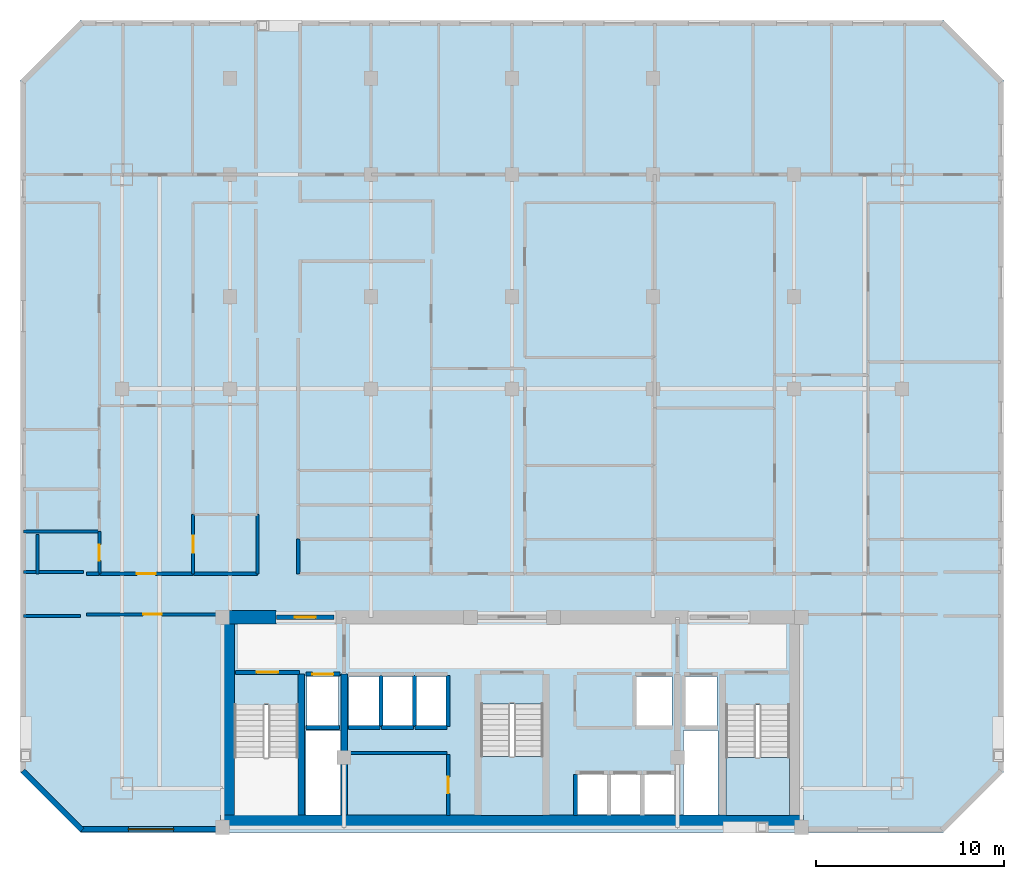
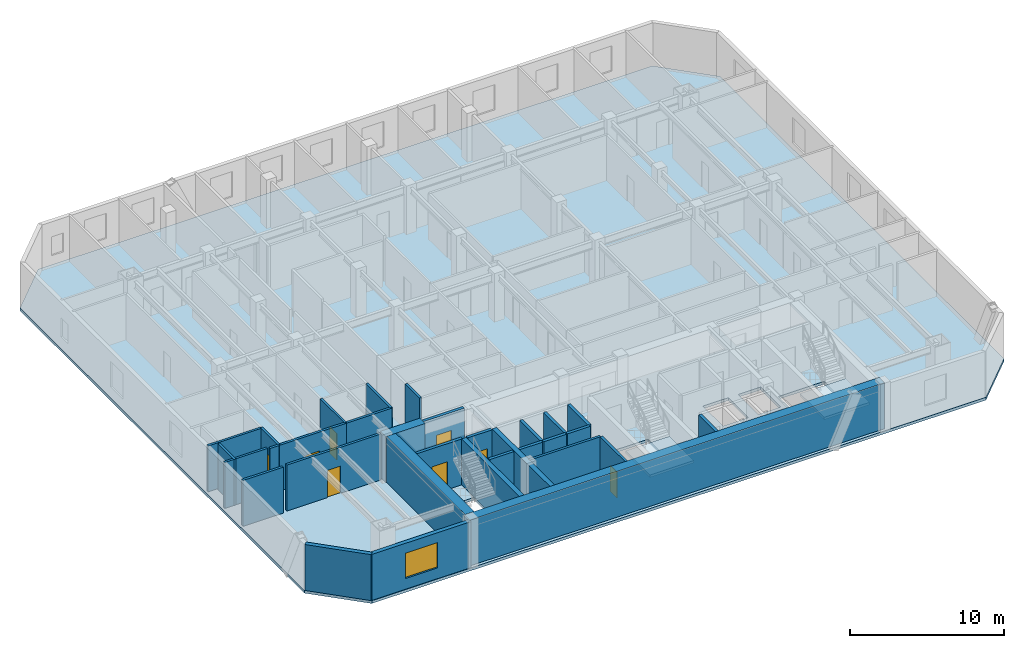
# One storey, part 2 of 8: 32 walls, 8 doors, 3 slabs, 1 window, 9 openings, 2 elements without a shape of their own.
"""IFC4 building model written with IfcOpenShell, lengths in metres."""

import ifcopenshell
import ifcopenshell.guid

model = None  # the IFC model being written
_history = None  # IfcOwnerHistory: only IFC2X3 demands one
_inside = {}  # id of a spatial element -> (the spatial element, [elements in it])
_under = {}  # id of a project, library or spatial element -> (it, [spatial elements below it])
_declared = {}  # id of a project -> (the project, [libraries it declares])
_typed = {}  # id of a type object -> (the type object, [elements of that type])
_made_of = {}  # id of a material, layer set ... -> (it, [elements and type objects made of it])


def new_model(schema):
    """Start an empty IFC model of exactly this schema.

    Asked for "IFC4X3", IfcOpenShell would pick the latest addendum, in which some entities
    have other attributes; the version numbers below select the first issue.
    IFC2X3 requires an IfcOwnerHistory on every rooted entity: one is made here for all.
    """
    global model, _history
    if schema == "IFC4X3":
        model = ifcopenshell.file(schema_version=(4, 3, 0, 0))
    else:
        model = ifcopenshell.file(schema=schema)
    _inside.clear()
    _under.clear()
    _declared.clear()
    _typed.clear()
    _made_of.clear()
    _history = None
    if model.schema == "IFC2X3":
        org = make("IfcOrganization", Name="unknown")
        user = make(
            "IfcPersonAndOrganization",
            ThePerson=make("IfcPerson", FamilyName="unknown"),
            TheOrganization=org,
        )
        app = make(
            "IfcApplication",
            ApplicationDeveloper=org,
            Version="unknown",
            ApplicationFullName="unknown",
            ApplicationIdentifier="unknown",
        )
        _history = make(
            "IfcOwnerHistory",
            OwningUser=user,
            OwningApplication=app,
            ChangeAction="ADDED",
            CreationDate=0,
        )
    return model


def make(cls, **values):
    """One entity of the class cls with the attributes given. An attribute that is None is left unset."""
    return model.create_entity(
        cls, **{name: value for name, value in values.items() if value is not None}
    )


def rooted(cls, **values):
    """An entity with a GlobalId (a new one), such as an element, a storey or a relation."""
    return make(cls, GlobalId=ifcopenshell.guid.new(), OwnerHistory=_history, **values)


def si_unit(unit_type, name, prefix=None):
    """IfcSIUnit, for example si_unit("LENGTHUNIT", "METRE", prefix="MILLI")."""
    return make("IfcSIUnit", UnitType=unit_type, Prefix=prefix, Name=name)


def assignment(units):
    """IfcUnitAssignment: the units of a project."""
    return None if units is None else make("IfcUnitAssignment", Units=units)


def point(xyz):
    """IfcCartesianPoint."""
    return None if xyz is None else make("IfcCartesianPoint", Coordinates=xyz)


def direction(xyz):
    """IfcDirection."""
    return None if xyz is None else make("IfcDirection", DirectionRatios=xyz)


def frame(location, z_axis=None, x_axis=None):
    """IfcAxis2Placement3D, a coordinate frame: its origin and axes. An axis left out is left unset."""
    return make(
        "IfcAxis2Placement3D",
        Location=point(location),
        Axis=direction(z_axis),
        RefDirection=direction(x_axis),
    )


def frame_2d(location, x_axis=None):
    """IfcAxis2Placement2D, a coordinate frame in the plane: its origin and x axis."""
    return make(
        "IfcAxis2Placement2D", Location=point(location), RefDirection=direction(x_axis)
    )


def origin():
    """The frame at (0, 0, 0) with its axes left unset."""
    return frame((0.0, 0.0, 0.0))


def place(relative_to, where):
    """IfcLocalPlacement: puts the frame where relative to a parent placement (None: the world)."""
    return make(
        "IfcLocalPlacement", PlacementRelTo=relative_to, RelativePlacement=where
    )


def context(
    kind, dimensions, precision=None, world=None, true_north=None, identifier=None
):
    """IfcGeometricRepresentationContext, for example the 3D "Model" context."""
    return make(
        "IfcGeometricRepresentationContext",
        ContextIdentifier=identifier,
        ContextType=kind,
        CoordinateSpaceDimension=dimensions,
        Precision=precision,
        WorldCoordinateSystem=world,
        TrueNorth=true_north,
    )


def subcontext(parent, identifier, kind, view, scale=None):
    """IfcGeometricRepresentationSubContext, for example "Body" below "Model"."""
    return make(
        "IfcGeometricRepresentationSubContext",
        ContextIdentifier=identifier,
        ContextType=kind,
        ParentContext=parent,
        TargetScale=scale,
        TargetView=view,
    )


def project(units=None, contexts=None):
    """IfcProject with its units and contexts."""
    return rooted(
        "IfcProject",
        Name="project",
        RepresentationContexts=contexts,
        UnitsInContext=assignment(units),
    )


def spatial(cls, under=None, at=None, **own):
    """A site, building, storey or space (cls), placed at a placement, below another one or the project."""
    s = rooted(cls, ObjectPlacement=at, **own)
    if under is not None:
        _under.setdefault(under.id(), (under, []))[1].append(s)
    return s


def polyline(points):
    """IfcPolyline through the points."""
    return make("IfcPolyline", Points=[point(p) for p in points])


def profile(cls, at=None, kind="AREA", **sizes):
    """A parametric profile (cls). Its sizes go by their IFC names, for example OverallWidth=200.0."""
    return make(cls, ProfileType=kind, Position=at, **sizes)


def rectangle(**sizes):
    """IfcRectangleProfileDef."""
    return profile("IfcRectangleProfileDef", **sizes)


def outline(outer, holes=None, kind="AREA"):
    """IfcArbitraryClosedProfileDef: a profile drawn as a closed curve; with holes, ...WithVoids."""
    if holes is None:
        return make("IfcArbitraryClosedProfileDef", ProfileType=kind, OuterCurve=outer)
    return make(
        "IfcArbitraryProfileDefWithVoids",
        ProfileType=kind,
        OuterCurve=outer,
        InnerCurves=holes,
    )


def extrude(swept, where, along, depth):
    """IfcExtrudedAreaSolid: the profile swept, set in the frame where, extruded along a direction by depth."""
    return make(
        "IfcExtrudedAreaSolid",
        SweptArea=swept,
        Position=where,
        ExtrudedDirection=direction(along),
        Depth=depth,
    )


def shape(context_of_items, identifier, shape_type, items):
    """IfcShapeRepresentation: the items that make up one representation, for example the "Body"."""
    return make(
        "IfcShapeRepresentation",
        ContextOfItems=context_of_items,
        RepresentationIdentifier=identifier,
        RepresentationType=shape_type,
        Items=items,
    )


def material(Name=None, Category=None):
    """IfcMaterial."""
    return make("IfcMaterial", Name=Name, Category=Category)


def layer(
    of_material, thickness, ventilated=None, Name=None, Category=None, Priority=None
):
    """IfcMaterialLayer: one layer of a wall or slab, of a material (None: an air gap)."""
    return make(
        "IfcMaterialLayer",
        Material=of_material,
        LayerThickness=thickness,
        IsVentilated=ventilated,
        Name=Name,
        Category=Category,
        Priority=Priority,
    )


def layer_set(layers, Name=None):
    """IfcMaterialLayerSet."""
    return make("IfcMaterialLayerSet", MaterialLayers=layers, LayerSetName=Name)


def made_of(thing, what):
    """Note that an element or type object is made of a material, layer set ...; save() writes the relation."""
    if what is not None:
        _made_of.setdefault(what.id(), (what, []))[1].append(thing)
    return thing


def type_object(cls, material=None, **own):
    """A type object (cls), such as IfcWallType, which elements share."""
    return made_of(rooted(cls, **own), material)


def element(
    cls,
    number,
    at=None,
    inside=None,
    cuts=None,
    type_object=None,
    material=None,
    context=None,
    identifier="Body",
    shape_type=None,
    held_by="IfcProductDefinitionShape",
    body=None,
    shapes=None,
    **own,
):
    """One element of the class cls, such as IfcWall. Its Tag is "e" and its number.

    at: its placement. inside: the storey or other place that contains it. cuts: it is an
    opening in that element (IfcRelVoidsElement). A single representation is given by context,
    identifier, shape_type and body (its items); several are given by shapes. held_by: the class
    of the entity that holds the representations. save() writes the other relations.
    """
    e = rooted(cls, Tag="e%d" % number, ObjectPlacement=at, **own)
    if body is not None:
        shapes = [shape(context, identifier, shape_type, body)]
    if shapes is not None:
        e.Representation = make(held_by, Representations=shapes)
    if inside is not None:
        _inside.setdefault(inside.id(), (inside, []))[1].append(e)
    if cuts is not None:
        rooted(
            "IfcRelVoidsElement", RelatingBuildingElement=cuts, RelatedOpeningElement=e
        )
    if type_object is not None:
        _typed.setdefault(type_object.id(), (type_object, []))[1].append(e)
    return made_of(e, material)


def fill(opening, filler):
    """IfcRelFillsElement: the door or window that sits in an opening."""
    return rooted(
        "IfcRelFillsElement",
        RelatingOpeningElement=opening,
        RelatedBuildingElement=filler,
    )


def aggregate(whole, parts):
    """IfcRelAggregates: a whole, such as a stair, and the parts it consists of."""
    return rooted("IfcRelAggregates", RelatingObject=whole, RelatedObjects=parts)


def save(model, path):
    """Write the relations noted so far, then the file.

    IfcRelAggregates (storeys below a building ...), IfcRelContainedInSpatialStructure (elements
    in a storey), IfcRelDefinesByType, IfcRelAssociatesMaterial and IfcRelDeclares: one each for
    every whole, place, type object, material and project.
    """
    for whole, parts in _under.values():
        aggregate(whole, parts)
    for where, things in _inside.values():
        rooted(
            "IfcRelContainedInSpatialStructure",
            RelatedElements=things,
            RelatingStructure=where,
        )
    for kind, things in _typed.values():
        rooted("IfcRelDefinesByType", RelatedObjects=things, RelatingType=kind)
    for what, things in _made_of.values():
        rooted("IfcRelAssociatesMaterial", RelatedObjects=things, RelatingMaterial=what)
    for by, libraries in _declared.values():
        rooted("IfcRelDeclares", RelatingContext=by, RelatedDefinitions=libraries)
    model.write(path)


model = new_model("IFC4")

# Units and contexts
model_context = context("Model", 3, precision=1e-05, world=origin(), true_north=direction((0.0, 1.0)))
body_context = subcontext(model_context, "Body", "Model", "MODEL_VIEW")
ifc_project = project(units=[si_unit("LENGTHUNIT", "METRE"), si_unit("AREAUNIT", "SQUARE_METRE"), si_unit("VOLUMEUNIT", "CUBIC_METRE"), si_unit("PLANEANGLEUNIT", "RADIAN"), si_unit("MASSUNIT", "GRAM", prefix="KILO")], contexts=[model_context])

# Site, building, storey
site_placement = place(None, origin())
site = spatial("IfcSite", under=ifc_project, at=site_placement, CompositionType="ELEMENT")
building_placement = place(site_placement, origin())
building = spatial("IfcBuilding", under=site, at=building_placement, Name="Ventersveld Concourse Tower", CompositionType="ELEMENT")
storey_placement = place(building_placement, frame((0.0, 0.0, 149.050048828125)))
storey = spatial("IfcBuildingStorey", under=building, at=storey_placement, Name="L36", CompositionType="ELEMENT", Elevation=149.050048828125)

# Slab
ifc_material_1 = material(Name="Concrete C50/60", Category="concrete")
ifc_layer_1 = layer(ifc_material_1, 0.219970703125)
ifc_layer_set_1 = layer_set([ifc_layer_1], Name="Concrete C50/60")
slab_type_1 = type_object("IfcSlabType", Name="SL-FLR-220", PredefinedType="FLOOR", material=ifc_layer_set_1)
slab_1_placement = place(storey_placement, frame((0.0, 0.0, -0.219970703125)))
element("IfcSlab", 1, at=slab_1_placement, inside=storey, type_object=slab_type_1, Name="L36 Composite Floor Slab", PredefinedType="FLOOR", context=body_context, shape_type="SweptSolid", body=[
    extrude(outline(polyline([(5.800048828125, 0.0), (51.699951171875, 0.0), (54.89990234375, 3.199951171875), (54.89990234375, 40.0), (51.699951171875, 43.199951171875), (5.800048828125, 43.199951171875), (2.60009765625, 40.0), (2.60009765625, 3.199951171875), (5.800048828125, 0.0)]), holes=[polyline([(13.97998046875, 6.794921875), (13.97998046875, 0.89990234375), (17.3798828125, 0.89990234375), (17.3798828125, 6.794921875), (13.97998046875, 6.794921875)]), polyline([(40.1201171875, 6.794921875), (40.1201171875, 0.89990234375), (43.52001953125, 0.89990234375), (43.52001953125, 6.794921875), (40.1201171875, 6.794921875)]), polyline([(27.10009765625, 6.844970703125), (27.10009765625, 0.89990234375), (30.39990234375, 0.89990234375), (30.39990234375, 6.844970703125), (27.10009765625, 6.844970703125)]), polyline([(17.85009765625, 5.699951171875), (19.530029296875, 5.699951171875), (19.530029296875, 8.300048828125), (17.85009765625, 8.300048828125), (17.85009765625, 5.699951171875)]), polyline([(37.969970703125, 5.699951171875), (39.64990234375, 5.699951171875), (39.64990234375, 8.300048828125), (37.969970703125, 8.300048828125), (37.969970703125, 5.699951171875)]), polyline([(35.35009765625, 5.699951171875), (37.25, 5.699951171875), (37.25, 8.300048828125), (35.35009765625, 8.300048828125), (35.35009765625, 5.699951171875)]), polyline([(32.2099609375, 0.949951171875), (33.81005859375, 0.949951171875), (33.81005859375, 3.050048828125), (32.2099609375, 3.050048828125), (32.2099609375, 0.949951171875)]), polyline([(33.989990234375, 0.949951171875), (35.590087890625, 0.949951171875), (35.590087890625, 3.050048828125), (33.989990234375, 3.050048828125), (33.989990234375, 0.949951171875)]), polyline([(35.77001953125, 0.949951171875), (37.3701171875, 0.949951171875), (37.3701171875, 3.050048828125), (35.77001953125, 3.050048828125), (35.77001953125, 0.949951171875)]), polyline([(20.090087890625, 5.699951171875), (21.68994140625, 5.699951171875), (21.68994140625, 8.300048828125), (20.090087890625, 8.300048828125), (20.090087890625, 5.699951171875)]), polyline([(21.8701171875, 5.699951171875), (23.469970703125, 5.699951171875), (23.469970703125, 8.300048828125), (21.8701171875, 8.300048828125), (21.8701171875, 5.699951171875)]), polyline([(23.64990234375, 5.699951171875), (25.25, 5.699951171875), (25.25, 8.300048828125), (23.64990234375, 8.300048828125), (23.64990234375, 5.699951171875)]), polyline([(17.780029296875, 0.919921875), (19.6201171875, 0.919921875), (19.6201171875, 5.419921875), (17.780029296875, 5.419921875), (17.780029296875, 0.919921875)]), polyline([(37.8798828125, 0.919921875), (39.719970703125, 0.919921875), (39.719970703125, 5.419921875), (37.8798828125, 5.419921875), (37.8798828125, 0.919921875)])]), origin(), (0.0, 0.0, 1.0), 0.219970703125),
])

# Stair, slab
stair_type_1 = type_object("IfcStairType", Name="ST-DOG-160", PredefinedType="HALF_TURN_STAIR", material=ifc_material_1)
stair_1_placement = place(storey_placement, origin())
stair_1 = element("IfcStair", 2, at=stair_1_placement, inside=storey, type_object=stair_type_1, Name="L36 Protected Tower Escape Stair ST-02", PredefinedType="HALF_TURN_STAIR")
ifc_layer_2 = layer(ifc_material_1, 0.199951171875)
ifc_layer_set_2 = layer_set([ifc_layer_2], Name="Concrete C50/60")
slab_type_2 = type_object("IfcSlabType", Name="SL-LND-200", PredefinedType="LANDING", material=ifc_layer_set_2)
slab_2_placement = place(storey_placement, frame((0.0, 0.0, 1.724853515625)))
slab_2 = element("IfcSlab", 3, at=slab_2_placement, type_object=slab_type_2, Name="ST-02 landing 1", PredefinedType="LANDING", context=body_context, shape_type="SweptSolid", body=[
    extrude(outline(polyline([(40.1201171875, 4.0), (40.1201171875, 0.89990234375), (43.52001953125, 0.89990234375), (43.52001953125, 4.0), (40.1201171875, 4.0)])), origin(), (0.0, 0.0, 1.0), 0.2001953125),
])
aggregate(stair_1, [slab_2])

stair_type_2 = type_object("IfcStairType", Name="ST-DOG-155", PredefinedType="HALF_TURN_STAIR", material=ifc_material_1)
stair_2_placement = place(storey_placement, origin())
stair_2 = element("IfcStair", 4, at=stair_2_placement, inside=storey, type_object=stair_type_2, Name="L36 Protected Central Core Escape Stair ST-03", PredefinedType="HALF_TURN_STAIR")
slab_3_placement = place(storey_placement, frame((0.0, 0.0, 1.724853515625)))
slab_3 = element("IfcSlab", 5, at=slab_3_placement, type_object=slab_type_2, Name="ST-03 landing 1", PredefinedType="LANDING", context=body_context, shape_type="SweptSolid", body=[
    extrude(outline(polyline([(27.10009765625, 4.050048828125), (27.10009765625, 0.89990234375), (30.39990234375, 0.89990234375), (30.39990234375, 4.050048828125), (27.10009765625, 4.050048828125)])), origin(), (0.0, 0.0, 1.0), 0.2001953125),
])
aggregate(stair_2, [slab_3])

# Walls
ifc_material_2 = material(Name="Concrete C60/75", Category="concrete")
ifc_layer_3 = layer(ifc_material_2, 0.35009765625)
ifc_layer_set_3 = layer_set([ifc_layer_3], Name="Concrete C60/75")
wall_type_1 = type_object("IfcWallType", Name="WL-CORE-350L", PredefinedType="SHEAR", material=ifc_layer_set_3)
for number, where, z_axis, x_axis, name in (
    (6, (17.5400390625, 0.919921875, 0.0), (0.0, 0.0, 1.0), (0.0, 1.0, 0.0), "L36 Core Internal Shear Web W-ST1-E"),
    (7, (19.820068359375, 0.919921875, 0.0), (0.0, 0.0, 1.0), (0.0, 1.0, 0.0), "L36 Core Internal Shear Web W-FF1-E"),
):
    element("IfcWall", number, at=place(storey_placement, frame(where, z_axis=z_axis, x_axis=x_axis)), inside=storey, type_object=wall_type_1, Name=name, PredefinedType="SHEAR", context=body_context, shape_type="SweptSolid", body=[
        extrude(rectangle(XDim=7.5, YDim=0.35009765625, at=frame_2d((3.75, 0.0))), origin(), (0.0, 0.0, 1.0), 3.6298828125),
    ])
ifc_layer_4 = layer(ifc_material_2, 0.699951171875)
ifc_layer_set_4 = layer_set([ifc_layer_4], Name="Concrete C60/75")
wall_type_2 = type_object("IfcWallType", Name="WL-CORE-700", PredefinedType="SHEAR", material=ifc_layer_set_4)
wall_1_placement = place(storey_placement, frame((13.25, 0.570068359375, 0.0), z_axis=(0.0, 0.0, 1.0), x_axis=(1.0, 0.0, 0.0)))
element("IfcWall", 8, at=wall_1_placement, inside=storey, type_object=wall_type_2, Name="L36 Rear Core South Shear Wall", PredefinedType="SHEAR", context=body_context, shape_type="SweptSolid", body=[
    extrude(rectangle(XDim=31.0, YDim=0.699951171875, at=frame_2d((15.5, 0.0))), origin(), (0.0, 0.0, 1.0), 3.6298828125),
])
wall_2_placement = place(storey_placement, frame((13.64990234375, 0.919921875, 0.0), z_axis=(0.0, 0.0, 1.0), x_axis=(0.0, 1.0, 0.0)))
element("IfcWall", 9, at=wall_2_placement, inside=storey, type_object=wall_type_2, Name="L36 Rear Core West Shear Wall", PredefinedType="SHEAR", context=body_context, shape_type="SweptSolid", body=[
    extrude(rectangle(XDim=10.530029296875, YDim=0.699951171875, at=frame_2d((5.26513671875, 0.0))), origin(), (0.0, 0.0, 1.0), 3.6298828125),
])
wall_3_placement = place(storey_placement, frame((13.25, 11.449951171875, 0.0), z_axis=(0.0, 0.0, 1.0), x_axis=(1.0, 0.0, 0.0)))
element("IfcWall", 10, at=wall_3_placement, inside=storey, type_object=wall_type_2, Name="L36 Rear Core North Shear Wall NW", PredefinedType="SHEAR", context=body_context, shape_type="SweptSolid", body=[
    extrude(rectangle(XDim=2.949951171875, YDim=0.699951171875, at=frame_2d((1.47509765625, 0.0))), origin(), (0.0, 0.0, 1.0), 3.6298828125),
])

# Wall, opening, door
ifc_material_3 = material(Name="Fire-rated autoclaved aerated masonry blockwork", Category="masonry")
ifc_layer_5 = layer(ifc_material_3, 0.179931640625)
ifc_layer_set_5 = layer_set([ifc_layer_5], Name="Fire-rated autoclaved aerated masonry blockwork")
wall_type_3 = type_object("IfcWallType", Name="WL-CORR-180", PredefinedType="PARTITIONING", material=ifc_layer_set_5)
wall_4_placement = place(storey_placement, frame((25.35009765625, 0.89990234375, 0.0), z_axis=(0.0, 0.0, 1.0), x_axis=(0.0, 1.0, 0.0)))
wall_4 = element("IfcWall", 11, at=wall_4_placement, inside=storey, type_object=wall_type_3, Name="L36 Core Passage Wall SP-L36-RECB1A", PredefinedType="PARTITIONING", context=body_context, shape_type="SweptSolid", body=[
    extrude(rectangle(XDim=3.239990234375, YDim=0.179931640625, at=frame_2d((1.6201171875, 0.0))), origin(), (0.0, 0.0, 1.0), 3.6298828125),
])
opening_1_placement = place(wall_4_placement, frame((1.179931640625, 0.0, 0.0)))
opening_1 = element("IfcOpeningElement", 12, at=opening_1_placement, cuts=wall_4, Name="Opening FD5", PredefinedType="OPENING", context=body_context, shape_type="SweptSolid", body=[
    extrude(rectangle(XDim=0.8798828125, YDim=2.050048828125, at=frame_2d((0.43994140625, 1.02490234375))), frame((0.0, 0.10009765625, 0.0), z_axis=(0.0, -1.0, 0.0), x_axis=(1.0, 0.0, 0.0)), (0.0, 0.0, 1.0), 0.199951171875),
])
ifc_material_4 = material(Name="Galvanised painted steel", Category="steel")
door_type_1 = type_object("IfcDoorType", Name="DR-RISER-088", OperationType="NOTDEFINED", PredefinedType="DOOR", material=ifc_material_4)
door_1_placement = place(opening_1_placement, origin())
door_1 = element("IfcDoor", 13, at=door_1_placement, inside=storey, type_object=door_type_1, Name="L36 Core Room Door L36 Reclaimed Core Quiet Study Pod (CD-L36-1754)", OperationType="SINGLE_SWING_LEFT", OverallHeight=2.050048828125, OverallWidth=0.8798828125, PredefinedType="DOOR", context=body_context, shape_type="SweptSolid", body=[
    extrude(rectangle(XDim=0.8798828125, YDim=2.050048828125, at=frame_2d((0.43994140625, 1.02490234375))), frame((0.0, 0.02490234375, 0.0), z_axis=(0.0, -1.0, 0.0), x_axis=(1.0, 0.0, 0.0)), (0.0, 0.0, 1.0), 0.050048828125),
])
fill(opening_1, door_1)

# Wall
wall_5_placement = place(storey_placement, frame((19.97998046875, 4.22998046875, 0.0), z_axis=(0.0, 0.0, 1.0), x_axis=(1.0, 0.0, 0.0)))
element("IfcWall", 14, at=wall_5_placement, inside=storey, type_object=wall_type_3, Name="L36 Core Top Wall SP-L36-RECB1A", PredefinedType="PARTITIONING", context=body_context, shape_type="SweptSolid", body=[
    extrude(rectangle(XDim=5.320068359375, YDim=0.179931640625, at=frame_2d((2.66015625, 0.0))), origin(), (0.0, 0.0, 1.0), 3.6298828125),
])

# Wall, opening, door
wall_6_placement = place(storey_placement, frame((6.10498046875, 11.60009765625, 0.0), z_axis=(0.0, 0.0, 1.0), x_axis=(1.0, 0.0, 0.0)))
wall_6 = element("IfcWall", 15, at=wall_6_placement, inside=storey, type_object=wall_type_3, Name="L36 Interior Partition SP-L36-SW-GAL-SP-L36-COR", PredefinedType="PARTITIONING", context=body_context, shape_type="SweptSolid", body=[
    extrude(rectangle(XDim=7.0400390625, YDim=0.179931640625, at=frame_2d((3.52001953125, 0.0))), origin(), (0.0, 0.0, 1.0), 3.6298828125),
])
opening_2_placement = place(wall_6_placement, frame((3.02001953125, 0.0, 0.0)))
opening_2 = element("IfcOpeningElement", 16, at=opening_2_placement, cuts=wall_6, Name="Opening FD3", PredefinedType="OPENING", context=body_context, shape_type="SweptSolid", body=[
    extrude(rectangle(XDim=1.0, YDim=2.14990234375, at=frame_2d((0.5, 1.074951171875))), frame((0.0, 0.10009765625, 0.0), z_axis=(0.0, -1.0, 0.0), x_axis=(1.0, 0.0, 0.0)), (0.0, 0.0, 1.0), 0.199951171875),
])
ifc_material_5 = material(Name="Solid-core hardwood veneer timber", Category="wood")
door_type_2 = type_object("IfcDoorType", Name="DR-FLAT-100", OperationType="NOTDEFINED", PredefinedType="DOOR", material=ifc_material_5)
door_2_placement = place(opening_2_placement, origin())
door_2 = element("IfcDoor", 17, at=door_2_placement, inside=storey, type_object=door_type_2, Name="L36 Interior Door SP-L36-SW-GAL to SP-L36-COR (D-L36-1756)", OperationType="SINGLE_SWING_RIGHT", OverallHeight=2.14990234375, OverallWidth=1.0, PredefinedType="DOOR", context=body_context, shape_type="SweptSolid", body=[
    extrude(rectangle(XDim=1.0, YDim=2.14990234375, at=frame_2d((0.5, 1.074951171875))), frame((0.0, 0.02490234375, 0.0), z_axis=(0.0, -1.0, 0.0), x_axis=(1.0, 0.0, 0.0)), (0.0, 0.0, 1.0), 0.050048828125),
])
fill(opening_2, door_2)

wall_7_placement = place(storey_placement, frame((6.80078125, 13.77001953125, 0.0), z_axis=(0.0, 0.0, 1.0), x_axis=(1.0, 0.0, 0.0)))
wall_7 = element("IfcWall", 18, at=wall_7_placement, inside=storey, type_object=wall_type_3, Name="L36 Interior Partition SP-L36-COR-SP-L36-36NW-FOY", PredefinedType="PARTITIONING", context=body_context, shape_type="SweptSolid", body=[
    extrude(rectangle(XDim=4.990234375, YDim=0.179931640625, at=frame_2d((2.4951171875, 0.0))), origin(), (0.0, 0.0, 1.0), 3.6298828125),
])
opening_3_placement = place(wall_7_placement, frame((1.9951171875, 0.0, 0.0)))
opening_3 = element("IfcOpeningElement", 19, at=opening_3_placement, cuts=wall_7, Name="Opening FD3", PredefinedType="OPENING", context=body_context, shape_type="SweptSolid", body=[
    extrude(rectangle(XDim=1.0, YDim=2.14990234375, at=frame_2d((0.5, 1.074951171875))), frame((0.0, 0.10009765625, 0.0), z_axis=(0.0, -1.0, 0.0), x_axis=(1.0, 0.0, 0.0)), (0.0, 0.0, 1.0), 0.199951171875),
])
door_3_placement = place(opening_3_placement, origin())
door_3 = element("IfcDoor", 20, at=door_3_placement, inside=storey, type_object=door_type_2, Name="L36 Interior Door SP-L36-COR to SP-L36-36NW-FOY (FD-L36-1758)", OperationType="SINGLE_SWING_RIGHT", OverallHeight=2.14990234375, OverallWidth=1.0, PredefinedType="DOOR", context=body_context, shape_type="SweptSolid", body=[
    extrude(rectangle(XDim=1.0, YDim=2.14990234375, at=frame_2d((0.5, 1.074951171875))), frame((0.0, 0.02490234375, 0.0), z_axis=(0.0, -1.0, 0.0), x_axis=(1.0, 0.0, 0.0)), (0.0, 0.0, 1.0), 0.050048828125),
])
fill(opening_3, door_3)

# Walls
wall_8_placement = place(storey_placement, frame((6.10498046875, 13.77001953125, 0.0), z_axis=(0.0, 0.0, 1.0), x_axis=(1.0, 0.0, 0.0)))
element("IfcWall", 21, at=wall_8_placement, inside=storey, type_object=wall_type_3, Name="L36 Interior Partition SP-L36-COR-SP-L36-36NW-BATH", PredefinedType="PARTITIONING", context=body_context, shape_type="SweptSolid", body=[
    extrude(rectangle(XDim=0.666015625, YDim=0.179931640625, at=frame_2d((0.3330078125, 0.0))), origin(), (0.0, 0.0, 1.0), 3.6298828125),
])
wall_9_placement = place(storey_placement, frame((11.82080078125, 13.77001953125, 0.0), z_axis=(0.0, 0.0, 1.0), x_axis=(1.0, 0.0, 0.0)))
element("IfcWall", 22, at=wall_9_placement, inside=storey, type_object=wall_type_3, Name="L36 Interior Partition SP-L36-COR-SP-L36-36NW-KIT", PredefinedType="PARTITIONING", context=body_context, shape_type="SweptSolid", body=[
    extrude(rectangle(XDim=3.394287109375, YDim=0.179931640625, at=frame_2d((1.697265625, 0.0))), origin(), (0.0, 0.0, 1.0), 3.6298828125),
])
wall_10_placement = place(storey_placement, frame((15.2099609375, 13.764892578125, 0.0), z_axis=(0.0, 0.0, 1.0), x_axis=(0.0, 1.0, 0.0)))
element("IfcWall", 23, at=wall_10_placement, inside=storey, type_object=wall_type_3, Name="L36 Interior Partition SP-L36-COR-SP-L36-36NW-KIT", PredefinedType="PARTITIONING", context=body_context, shape_type="SweptSolid", body=[
    extrude(rectangle(XDim=3.1494140625, YDim=0.179931640625, at=frame_2d((1.57470703125, 0.0))), origin(), (0.0, 0.0, 1.0), 3.6298828125),
])
wall_11_placement = place(storey_placement, frame((17.389892578125, 13.764892578125, 0.0), z_axis=(0.0, 0.0, 1.0), x_axis=(0.0, 1.0, 0.0)))
element("IfcWall", 24, at=wall_11_placement, inside=storey, type_object=wall_type_3, Name="L36 Interior Partition SP-L36-COR-SP-L36-36N1-BATH", PredefinedType="PARTITIONING", context=body_context, shape_type="SweptSolid", body=[
    extrude(rectangle(XDim=1.840087890625, YDim=0.179931640625, at=frame_2d((0.919921875, 0.0))), origin(), (0.0, 0.0, 1.0), 3.6298828125),
])
wall_12_placement = place(storey_placement, frame((2.7724609375, 11.52001953125, 0.0), z_axis=(0.0, 0.0, 1.0), x_axis=(1.0, 0.0, 0.0)))
element("IfcWall", 25, at=wall_12_placement, inside=storey, type_object=wall_type_3, Name="L36 Room Enclosure Wall SP-L36-SW-GAL", PredefinedType="PARTITIONING", context=body_context, shape_type="SweptSolid", body=[
    extrude(rectangle(XDim=3.015380859375, YDim=0.179931640625, at=frame_2d((1.5078125, 0.0))), origin(), (0.0, 0.0, 1.0), 3.6298828125),
])
ifc_layer_6 = layer(ifc_material_3, 0.219970703125)
ifc_layer_set_6 = layer_set([ifc_layer_6], Name="Fire-rated autoclaved aerated masonry blockwork")
wall_type_4 = type_object("IfcWallType", Name="WL-HOIST-220", PredefinedType="SOLIDWALL", material=ifc_layer_set_6)
wall_13_placement = place(storey_placement, frame((17.800048828125, 5.590087890625, 0.0), z_axis=(0.0, 0.0, 1.0), x_axis=(1.0, 0.0, 0.0)))
element("IfcWall", 26, at=wall_13_placement, inside=storey, type_object=wall_type_4, Name="L36 Lift Hoistway Back Wall FFL-01", PredefinedType="SOLIDWALL", context=body_context, shape_type="SweptSolid", body=[
    extrude(rectangle(XDim=1.780029296875, YDim=0.219970703125, at=frame_2d((0.89013671875, 0.0))), origin(), (0.0, 0.0, 1.0), 3.6298828125),
])

# Wall, opening, door
wall_14_placement = place(storey_placement, frame((17.780029296875, 8.429931640625, 0.0), z_axis=(0.0, 0.0, 1.0), x_axis=(1.0, 0.0, 0.0)))
wall_14 = element("IfcWall", 27, at=wall_14_placement, inside=storey, type_object=wall_type_4, Name="L36 Lift Hoistway Front Wall FFL-01", PredefinedType="SOLIDWALL", context=body_context, shape_type="SweptSolid", body=[
    extrude(rectangle(XDim=1.820068359375, YDim=0.219970703125, at=frame_2d((0.91015625, 0.0))), origin(), (0.0, 0.0, 1.0), 3.6298828125),
])
opening_4_placement = place(wall_14_placement, frame((0.35009765625, 0.0, 0.0)))
opening_4 = element("IfcOpeningElement", 28, at=opening_4_placement, cuts=wall_14, Name="Opening LD1", PredefinedType="OPENING", context=body_context, shape_type="SweptSolid", body=[
    extrude(rectangle(XDim=1.1201171875, YDim=2.25, at=frame_2d((0.56005859375, 1.125))), frame((0.0, 0.1201171875, 0.0), z_axis=(0.0, -1.0, 0.0), x_axis=(1.0, 0.0, 0.0)), (0.0, 0.0, 1.0), 0.239990234375),
])
ifc_material_6 = material(Name="Brushed stainless steel 316", Category="steel")
door_type_3 = type_object("IfcDoorType", Name="LD-FF-112", OperationType="SLIDING_TO_LEFT", PredefinedType="DOOR", material=ifc_material_6)
door_4_placement = place(opening_4_placement, origin())
door_4 = element("IfcDoor", 29, at=door_4_placement, inside=storey, type_object=door_type_3, Name="L36 Lift landing door FFL-01 (LD-L36-FFL-01)", OperationType="SLIDING_TO_LEFT", OverallHeight=2.25, OverallWidth=1.1201171875, PredefinedType="DOOR", context=body_context, shape_type="SweptSolid", body=[
    extrude(rectangle(XDim=1.1201171875, YDim=2.25, at=frame_2d((0.56005859375, 1.125))), frame((0.0, 0.02490234375, 0.0), z_axis=(0.0, -1.0, 0.0), x_axis=(1.0, 0.0, 0.0)), (0.0, 0.0, 1.0), 0.050048828125),
])
fill(opening_4, door_4)

# Walls
wall_15_placement = place(storey_placement, frame((32.1201171875, 0.89990234375, 0.0), z_axis=(0.0, 0.0, 1.0), x_axis=(0.0, 1.0, 0.0)))
element("IfcWall", 30, at=wall_15_placement, inside=storey, type_object=wall_type_4, Name="L36 Lift Hoistway Side Wall PM-01W", PredefinedType="SOLIDWALL", context=body_context, shape_type="SweptSolid", body=[
    extrude(rectangle(XDim=2.2001953125, YDim=0.219970703125, at=frame_2d((1.10009765625, 0.0))), origin(), (0.0, 0.0, 1.0), 3.6298828125),
])
wall_16_placement = place(storey_placement, frame((20.0400390625, 5.590087890625, 0.0), z_axis=(0.0, 0.0, 1.0), x_axis=(1.0, 0.0, 0.0)))
element("IfcWall", 31, at=wall_16_placement, inside=storey, type_object=wall_type_4, Name="L36 Lift Hoistway Back Wall PH-01", PredefinedType="SOLIDWALL", context=body_context, shape_type="SweptSolid", body=[
    extrude(rectangle(XDim=1.699951171875, YDim=0.219970703125, at=frame_2d((0.85009765625, 0.0))), origin(), (0.0, 0.0, 1.0), 3.6298828125),
])
wall_17_placement = place(storey_placement, frame((21.780029296875, 5.64990234375, 0.0), z_axis=(0.0, 0.0, 1.0), x_axis=(0.0, 1.0, 0.0)))
element("IfcWall", 32, at=wall_17_placement, inside=storey, type_object=wall_type_4, Name="L36 Lift Hoistway Side Wall PH-01E", PredefinedType="SOLIDWALL", context=body_context, shape_type="SweptSolid", body=[
    extrude(rectangle(XDim=2.7001953125, YDim=0.219970703125, at=frame_2d((1.35009765625, 0.0))), origin(), (0.0, 0.0, 1.0), 3.6298828125),
])
wall_18_placement = place(storey_placement, frame((21.820068359375, 5.590087890625, 0.0), z_axis=(0.0, 0.0, 1.0), x_axis=(1.0, 0.0, 0.0)))
element("IfcWall", 33, at=wall_18_placement, inside=storey, type_object=wall_type_4, Name="L36 Lift Hoistway Back Wall PH-02", PredefinedType="SOLIDWALL", context=body_context, shape_type="SweptSolid", body=[
    extrude(rectangle(XDim=1.699951171875, YDim=0.219970703125, at=frame_2d((0.85009765625, 0.0))), origin(), (0.0, 0.0, 1.0), 3.6298828125),
])
wall_19_placement = place(storey_placement, frame((23.56005859375, 5.64990234375, 0.0), z_axis=(0.0, 0.0, 1.0), x_axis=(0.0, 1.0, 0.0)))
element("IfcWall", 34, at=wall_19_placement, inside=storey, type_object=wall_type_4, Name="L36 Lift Hoistway Side Wall PH-02E", PredefinedType="SOLIDWALL", context=body_context, shape_type="SweptSolid", body=[
    extrude(rectangle(XDim=2.7001953125, YDim=0.219970703125, at=frame_2d((1.35009765625, 0.0))), origin(), (0.0, 0.0, 1.0), 3.6298828125),
])
wall_20_placement = place(storey_placement, frame((23.60009765625, 5.590087890625, 0.0), z_axis=(0.0, 0.0, 1.0), x_axis=(1.0, 0.0, 0.0)))
element("IfcWall", 35, at=wall_20_placement, inside=storey, type_object=wall_type_4, Name="L36 Lift Hoistway Back Wall PH-03", PredefinedType="SOLIDWALL", context=body_context, shape_type="SweptSolid", body=[
    extrude(rectangle(XDim=1.699951171875, YDim=0.219970703125, at=frame_2d((0.85009765625, 0.0))), origin(), (0.0, 0.0, 1.0), 3.6298828125),
])
wall_21_placement = place(storey_placement, frame((25.340087890625, 5.64990234375, 0.0), z_axis=(0.0, 0.0, 1.0), x_axis=(0.0, 1.0, 0.0)))
element("IfcWall", 36, at=wall_21_placement, inside=storey, type_object=wall_type_4, Name="L36 Lift Hoistway Side Wall PH-03E", PredefinedType="SOLIDWALL", context=body_context, shape_type="SweptSolid", body=[
    extrude(rectangle(XDim=2.7001953125, YDim=0.219970703125, at=frame_2d((1.35009765625, 0.0))), origin(), (0.0, 0.0, 1.0), 3.6298828125),
])

# Wall, opening, door
wall_22_placement = place(storey_placement, frame((14.0400390625, 8.52001953125, 0.0), z_axis=(0.0, 0.0, 1.0), x_axis=(1.0, 0.0, 0.0)))
wall_22 = element("IfcWall", 37, at=wall_22_placement, inside=storey, type_object=wall_type_4, Name="L36 Escape Stair ST01 Fire Wall", PredefinedType="SOLIDWALL", context=body_context, shape_type="SweptSolid", body=[
    extrude(rectangle(XDim=3.39990234375, YDim=0.219970703125, at=frame_2d((1.699951171875, 0.0))), origin(), (0.0, 0.0, 1.0), 3.6298828125),
])
opening_5_placement = place(wall_22_placement, frame((1.125, 0.0, 0.0)))
opening_5 = element("IfcOpeningElement", 38, at=opening_5_placement, cuts=wall_22, Name="Opening FD1", PredefinedType="OPENING", context=body_context, shape_type="SweptSolid", body=[
    extrude(rectangle(XDim=1.14990234375, YDim=2.199951171875, at=frame_2d((0.574951171875, 1.10009765625))), frame((0.0, 0.1201171875, 0.0), z_axis=(0.0, -1.0, 0.0), x_axis=(1.0, 0.0, 0.0)), (0.0, 0.0, 1.0), 0.239990234375),
])
door_type_4 = type_object("IfcDoorType", Name="DR-STAIR-115", OperationType="NOTDEFINED", PredefinedType="DOOR", material=ifc_material_4)
door_5_placement = place(opening_5_placement, origin())
door_5 = element("IfcDoor", 39, at=door_5_placement, inside=storey, type_object=door_type_4, Name="L36 Escape Stair Door ST01 (SD-L36-1746)", OperationType="SINGLE_SWING_LEFT", OverallHeight=2.199951171875, OverallWidth=1.14990234375, PredefinedType="DOOR", context=body_context, shape_type="SweptSolid", body=[
    extrude(rectangle(XDim=1.14990234375, YDim=2.199951171875, at=frame_2d((0.574951171875, 1.10009765625))), frame((0.0, 0.02490234375, 0.0), z_axis=(0.0, -1.0, 0.0), x_axis=(1.0, 0.0, 0.0)), (0.0, 0.0, 1.0), 0.050048828125),
])
fill(opening_5, door_5)

wall_23_placement = place(storey_placement, frame((16.22998046875, 11.449951171875, 0.0), z_axis=(0.0, 0.0, 1.0), x_axis=(1.0, 0.0, 0.0)))
wall_23 = element("IfcWall", 40, at=wall_23_placement, inside=storey, type_object=wall_type_4, Name="L36 Core North Fire Portal FFLW-OUT", PredefinedType="SOLIDWALL", context=body_context, shape_type="SweptSolid", body=[
    extrude(rectangle(XDim=3.0400390625, YDim=0.219970703125, at=frame_2d((1.52001953125, 0.0))), origin(), (0.0, 0.0, 1.0), 3.6298828125),
])
opening_6_placement = place(wall_23_placement, frame((0.969970703125, 0.0, 0.0)))
opening_6 = element("IfcOpeningElement", 41, at=opening_6_placement, cuts=wall_23, Name="Opening FD2", PredefinedType="OPENING", context=body_context, shape_type="SweptSolid", body=[
    extrude(rectangle(XDim=1.10009765625, YDim=2.199951171875, at=frame_2d((0.550048828125, 1.10009765625))), frame((0.0, 0.1201171875, 0.0), z_axis=(0.0, -1.0, 0.0), x_axis=(1.0, 0.0, 0.0)), (0.0, 0.0, 1.0), 0.239990234375),
])
door_type_5 = type_object("IfcDoorType", Name="DR-FFL-110", OperationType="NOTDEFINED", PredefinedType="DOOR", material=ifc_material_4)
door_6_placement = place(opening_6_placement, origin())
door_6 = element("IfcDoor", 42, at=door_6_placement, inside=storey, type_object=door_type_5, Name="L36 Core Lobby Fire Door FFLW-OUT (FD-L36-1751)", OperationType="SINGLE_SWING_RIGHT", OverallHeight=2.199951171875, OverallWidth=1.10009765625, PredefinedType="DOOR", context=body_context, shape_type="SweptSolid", body=[
    extrude(rectangle(XDim=1.10009765625, YDim=2.199951171875, at=frame_2d((0.550048828125, 1.10009765625))), frame((0.0, 0.02490234375, 0.0), z_axis=(0.0, -1.0, 0.0), x_axis=(1.0, 0.0, 0.0)), (0.0, 0.0, 1.0), 0.050048828125),
])
fill(opening_6, door_6)

ifc_material_7 = material(Name="Autoclaved aerated masonry blockwork", Category="masonry")
ifc_layer_7 = layer(ifc_material_7, 0.14990234375)
ifc_layer_set_7 = layer_set([ifc_layer_7], Name="Autoclaved aerated masonry blockwork")
wall_type_5 = type_object("IfcWallType", Name="WL-INT-150", PredefinedType="PARTITIONING", material=ifc_layer_set_7)
wall_24_placement = place(storey_placement, frame((11.785888671875, 13.764892578125, 0.0), z_axis=(0.0, 0.0, 1.0), x_axis=(0.0, 1.0, 0.0)))
wall_24 = element("IfcWall", 43, at=wall_24_placement, inside=storey, type_object=wall_type_5, Name="L36 Interior Partition SP-L36-36NW-FOY-SP-L36-36NW-KIT", PredefinedType="PARTITIONING", context=body_context, shape_type="SweptSolid", body=[
    extrude(rectangle(XDim=3.1494140625, YDim=0.14990234375, at=frame_2d((1.57470703125, 0.0))), origin(), (0.0, 0.0, 1.0), 3.6298828125),
])
opening_7_placement = place(wall_24_placement, frame((1.114501953125, 0.0, 0.0)))
opening_7 = element("IfcOpeningElement", 44, at=opening_7_placement, cuts=wall_24, Name="Opening ID1", PredefinedType="OPENING", context=body_context, shape_type="SweptSolid", body=[
    extrude(rectangle(XDim=0.919921875, YDim=2.10009765625, at=frame_2d((0.4599609375, 1.050048828125))), frame((0.0, 0.0849609375, 0.0), z_axis=(0.0, -1.0, 0.0), x_axis=(1.0, 0.0, 0.0)), (0.0, 0.0, 1.0), 0.169921875),
])
door_type_6 = type_object("IfcDoorType", Name="DR-ROOM-092", OperationType="NOTDEFINED", PredefinedType="DOOR", material=ifc_material_5)
door_7_placement = place(opening_7_placement, origin())
door_7 = element("IfcDoor", 45, at=door_7_placement, inside=storey, type_object=door_type_6, Name="L36 Interior Door SP-L36-36NW-FOY to SP-L36-36NW-KIT (D-L36-1766)", OperationType="SINGLE_SWING_RIGHT", OverallHeight=2.10009765625, OverallWidth=0.919921875, PredefinedType="DOOR", context=body_context, shape_type="SweptSolid", body=[
    extrude(rectangle(XDim=0.919921875, YDim=2.10009765625, at=frame_2d((0.4599609375, 1.050048828125))), frame((0.0, 0.02490234375, 0.0), z_axis=(0.0, -1.0, 0.0), x_axis=(1.0, 0.0, 0.0)), (0.0, 0.0, 1.0), 0.050048828125),
])
fill(opening_7, door_7)

# Wall, opening, window
ifc_material_8 = material(Name="Precast concrete C45/55", Category="concrete")
ifc_layer_8 = layer(ifc_material_8, 0.300048828125)
ifc_layer_set_8 = layer_set([ifc_layer_8], Name="Precast concrete C45/55")
wall_type_6 = type_object("IfcWallType", Name="WL-PREC-300", PredefinedType="SOLIDWALL", material=ifc_layer_set_8)
wall_25_placement = place(storey_placement, frame((5.840087890625, 0.179931640625, 0.0), z_axis=(0.0, 0.0, 1.0), x_axis=(1.0, 0.0, 0.0)))
wall_25 = element("IfcWall", 46, at=wall_25_placement, inside=storey, type_object=wall_type_6, Name="L36 South-West Flank Precast Wall", PredefinedType="SOLIDWALL", context=body_context, shape_type="SweptSolid", body=[
    extrude(rectangle(XDim=7.409912109375, YDim=0.300048828125, at=frame_2d((3.705078125, 0.0))), origin(), (0.0, 0.0, 1.0), 3.6298828125),
])
opening_8_placement = place(wall_25_placement, frame((2.5048828125, 0.0, 0.85009765625)))
opening_8 = element("IfcOpeningElement", 47, at=opening_8_placement, cuts=wall_25, Name="Opening W5", PredefinedType="OPENING", context=body_context, shape_type="SweptSolid", body=[
    extrude(rectangle(XDim=2.39990234375, YDim=2.0, at=frame_2d((1.199951171875, 1.0))), frame((0.0, 0.16015625, 0.0), z_axis=(0.0, -1.0, 0.0), x_axis=(1.0, 0.0, 0.0)), (0.0, 0.0, 1.0), 0.320068359375),
])
ifc_material_9 = material(Name="Tempered acoustic Low-E IGU", Category="glass")
window_type = type_object("IfcWindowType", Name="WIN-240x210", PartitioningType="SINGLE_PANEL", PredefinedType="WINDOW", material=ifc_material_9)
window_placement = place(opening_8_placement, origin())
window = element("IfcWindow", 48, at=window_placement, inside=storey, type_object=window_type, Name="L36 Punched Low-E Window W-0461", OverallHeight=2.0, OverallWidth=2.39990234375, PartitioningType="SINGLE_PANEL", PredefinedType="WINDOW", context=body_context, shape_type="SweptSolid", body=[
    extrude(rectangle(XDim=2.39990234375, YDim=2.0, at=frame_2d((1.199951171875, 1.0))), frame((0.0, 0.030029296875, 0.0), z_axis=(0.0, -1.0, 0.0), x_axis=(1.0, 0.0, 0.0)), (0.0, 0.0, 1.0), 0.06005859375),
])
fill(opening_8, window)

# Wall
wall_26_placement = place(storey_placement, frame((2.734375, 3.27783203125, 0.0), z_axis=(0.0, 0.0, 1.0), x_axis=(0.707106781187, -0.707106781187, 0.0)))
element("IfcWall", 49, at=wall_26_placement, inside=storey, type_object=wall_type_6, Name="L36 Highveld Precast Facade Wall E08", PredefinedType="SOLIDWALL", context=body_context, shape_type="SweptSolid", body=[
    extrude(rectangle(XDim=4.4453125, YDim=0.300048828125, at=frame_2d((2.22265625, 0.0))), origin(), (0.0, 0.0, 1.0), 3.6298828125),
])

# Wall, opening, door
ifc_layer_9 = layer(ifc_material_7, 0.1650390625)
ifc_layer_set_9 = layer_set([ifc_layer_9], Name="Autoclaved aerated masonry blockwork")
wall_type_7 = type_object("IfcWallType", Name="WL-WET-165", PredefinedType="PLUMBINGWALL", material=ifc_layer_set_9)
wall_27_placement = place(storey_placement, frame((6.805908203125, 13.764892578125, 0.0), z_axis=(0.0, 0.0, 1.0), x_axis=(0.0, 1.0, 0.0)))
wall_27 = element("IfcWall", 50, at=wall_27_placement, inside=storey, type_object=wall_type_7, Name="L36 Interior Partition SP-L36-36NW-FOY-SP-L36-36NW-BATH", PredefinedType="PLUMBINGWALL", context=body_context, shape_type="SweptSolid", body=[
    extrude(rectangle(XDim=2.255126953125, YDim=0.1650390625, at=frame_2d((1.12744140625, 0.0))), origin(), (0.0, 0.0, 1.0), 3.6298828125),
])
opening_9_placement = place(wall_27_placement, frame((0.702392578125, 0.0, 0.0)))
opening_9 = element("IfcOpeningElement", 51, at=opening_9_placement, cuts=wall_27, Name="Opening ID2", PredefinedType="OPENING", context=body_context, shape_type="SweptSolid", body=[
    extrude(rectangle(XDim=0.85009765625, YDim=2.10009765625, at=frame_2d((0.425048828125, 1.050048828125))), frame((0.0, 0.092529296875, 0.0), z_axis=(0.0, -1.0, 0.0), x_axis=(1.0, 0.0, 0.0)), (0.0, 0.0, 1.0), 0.18505859375),
])
door_type_7 = type_object("IfcDoorType", Name="DR-BATH-085", OperationType="NOTDEFINED", PredefinedType="DOOR", material=ifc_material_5)
door_8_placement = place(opening_9_placement, origin())
door_8 = element("IfcDoor", 52, at=door_8_placement, inside=storey, type_object=door_type_7, Name="L36 Interior Door SP-L36-36NW-FOY to SP-L36-36NW-BATH (D-L36-1762)", OperationType="SINGLE_SWING_RIGHT", OverallHeight=2.10009765625, OverallWidth=0.85009765625, PredefinedType="DOOR", context=body_context, shape_type="SweptSolid", body=[
    extrude(rectangle(XDim=0.85009765625, YDim=2.10009765625, at=frame_2d((0.425048828125, 1.050048828125))), frame((0.0, 0.02490234375, 0.0), z_axis=(0.0, -1.0, 0.0), x_axis=(1.0, 0.0, 0.0)), (0.0, 0.0, 1.0), 0.050048828125),
])
fill(opening_9, door_8)

# Walls
wall_28_placement = place(storey_placement, frame((2.7724609375, 16.01513671875, 0.0), z_axis=(0.0, 0.0, 1.0), x_axis=(1.0, 0.0, 0.0)))
element("IfcWall", 53, at=wall_28_placement, inside=storey, type_object=wall_type_7, Name="L36 Interior Partition SP-L36-36NW-BATH-SP-L36-36NW-PWDL2", PredefinedType="PLUMBINGWALL", context=body_context, shape_type="SweptSolid", body=[
    extrude(rectangle(XDim=4.038330078125, YDim=0.1650390625, at=frame_2d((2.01904296875, 0.0))), origin(), (0.0, 0.0, 1.0), 3.6298828125),
])
wall_29_placement = place(storey_placement, frame((3.52001953125, 13.764892578125, 0.0), z_axis=(0.0, 0.0, 1.0), x_axis=(0.0, 1.0, 0.0)))
element("IfcWall", 54, at=wall_29_placement, inside=storey, type_object=wall_type_7, Name="L36 Room Enclosure Wall SP-L36-36NW-BATH", PredefinedType="PLUMBINGWALL", context=body_context, shape_type="SweptSolid", body=[
    extrude(rectangle(XDim=2.085205078125, YDim=0.1650390625, at=frame_2d((1.04248046875, 0.0))), origin(), (0.0, 0.0, 1.0), 3.6298828125),
])
wall_30_placement = place(storey_placement, frame((5.956298828125, 13.860107421875, 0.0), z_axis=(0.0, 0.0, 1.0), x_axis=(-1.0, 0.0, 0.0)))
element("IfcWall", 55, at=wall_30_placement, inside=storey, type_object=wall_type_7, Name="L36 Room Enclosure Wall SP-L36-36NW-BATH", PredefinedType="PLUMBINGWALL", context=body_context, shape_type="SweptSolid", body=[
    extrude(rectangle(XDim=3.183837890625, YDim=0.1650390625, at=frame_2d((1.591796875, 0.0))), origin(), (0.0, 0.0, 1.0), 3.6298828125),
])

save(model, "model.ifc")
